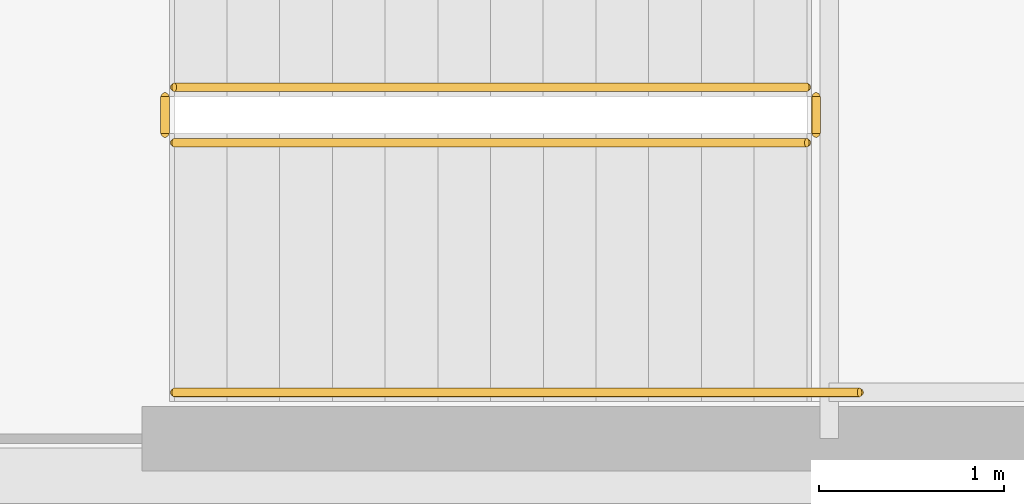
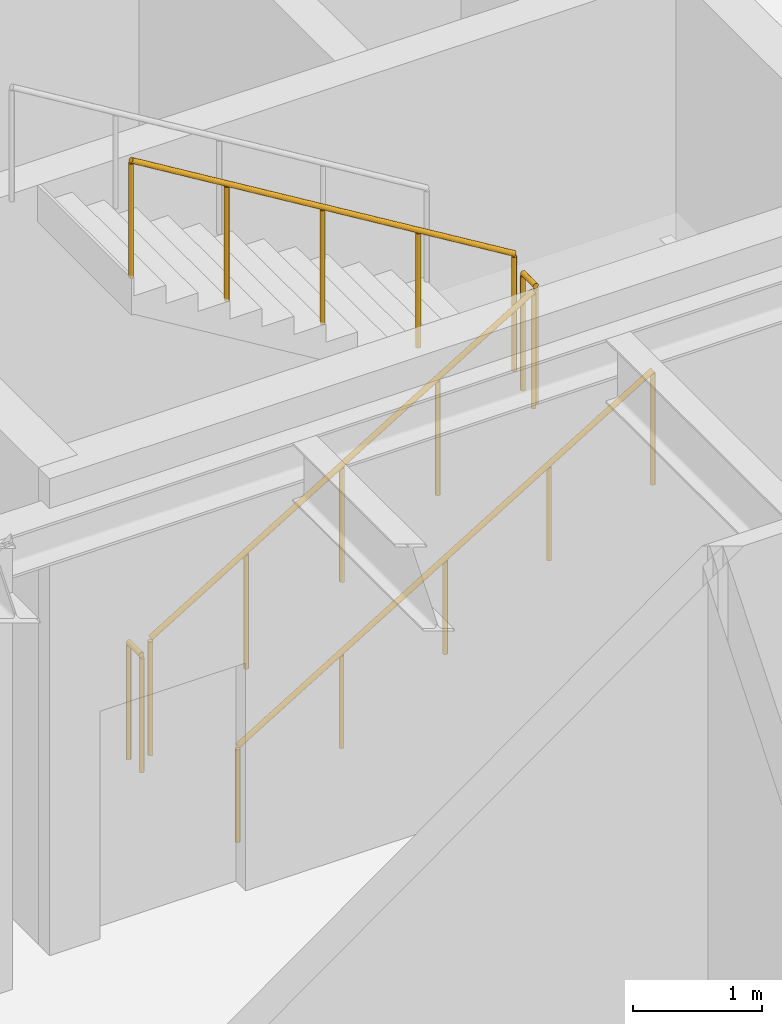
# One storey, part 63 of 64: 5 railings.
"""IFC4 building model written with IfcOpenShell, lengths in metres."""

from ifc_helpers import new_model, si_unit, direction, frame, origin, origin_2d, place, context, subcontext, project, spatial, circle, extrude, material, layer, layer_set, type_object, element, save


model = new_model("IFC4")

# Units and contexts
model_context = context("Model", 3, precision=1e-05, world=origin(), true_north=direction((0.0, 1.0)))
body_context = subcontext(model_context, "Body", "Model", "MODEL_VIEW")
ifc_project = project(units=[si_unit("LENGTHUNIT", "METRE"), si_unit("AREAUNIT", "SQUARE_METRE"), si_unit("VOLUMEUNIT", "CUBIC_METRE"), si_unit("PLANEANGLEUNIT", "RADIAN"), si_unit("MASSUNIT", "GRAM", prefix="KILO")], contexts=[model_context])

# Site, building, storey
site_placement = place(None, origin())
site = spatial("IfcSite", under=ifc_project, at=site_placement, CompositionType="ELEMENT")
building_placement = place(site_placement, origin())
building = spatial("IfcBuilding", under=site, at=building_placement, Name="Montealbar Specialist Clinic", CompositionType="ELEMENT")
storey_placement = place(building_placement, frame((0.0, 0.0, 5.10009765625)))
storey = spatial("IfcBuildingStorey", under=building, at=storey_placement, Name="L01", CompositionType="ELEMENT", Elevation=5.10009765625)

# Railings
ifc_material = material(Name="Steel S355", Category="steel")
ifc_layer_1 = layer(ifc_material, 0.050048828125, Name="Steel S355", Category="steel")
ifc_layer_set_1 = layer_set([ifc_layer_1], Name="Steel S355")
railing_type_1 = type_object("IfcRailingType", Name="RAIL-STAIR-BAL-1100", PredefinedType="BALUSTRADE", material=ifc_layer_set_1)
railing_1_placement = place(storey_placement, frame((147.75, 46.800048828125, 0.173095703125)))
element("IfcRailing", 1, at=railing_1_placement, inside=storey, type_object=railing_type_1, Name="L01 ST-06 stair guard 1", PredefinedType="BALUSTRADE", context=body_context, shape_type="SweptSolid", body=[
    extrude(circle(Radius=0.02392578125, at=origin_2d()), frame((0.0, 0.0, 1.076171875), z_axis=(0.854729506542, 0.0, 0.519073665916), x_axis=(0.0, 1.0, 0.0)), (0.0, 0.0, 1.0), 4.001220703125),
    extrude(circle(Radius=0.02099609375, at=origin_2d()), frame((0.0, 0.0, -0.02490234375)), (0.0, 0.0, 1.0), 1.076904296875),
    extrude(circle(Radius=0.02099609375, at=origin_2d()), frame((0.85498046875, 0.0, 0.494140625)), (0.0, 0.0, 1.0), 1.076904296875),
    extrude(circle(Radius=0.02099609375, at=origin_2d()), frame((1.7099609375, 0.0, 1.013427734375)), (0.0, 0.0, 1.0), 1.076904296875),
    extrude(circle(Radius=0.02099609375, at=origin_2d()), frame((2.56494140625, 0.0, 1.53271484375)), (0.0, 0.0, 1.0), 1.076904296875),
    extrude(circle(Radius=0.02099609375, at=origin_2d()), frame((3.419921875, 0.0, 2.052001953125)), (0.0, 0.0, 1.0), 1.076904296875),
])
railing_2_placement = place(storey_placement, frame((151.219970703125, 46.85009765625, 2.25)))
element("IfcRailing", 2, at=railing_2_placement, inside=storey, type_object=railing_type_1, Name="L01 ST-06 stair guard 2", PredefinedType="BALUSTRADE", context=body_context, shape_type="SweptSolid", body=[
    extrude(circle(Radius=0.02392578125, at=origin_2d()), frame((0.0, 0.0, 1.076171875), z_axis=(0.0, 1.0, 0.0), x_axis=(-1.0, 0.0, 0.0)), (0.0, 0.0, 1.0), 0.199951171875),
    extrude(circle(Radius=0.02099609375, at=origin_2d()), frame((0.0, 0.0, -0.02490234375)), (0.0, 0.0, 1.0), 1.076904296875),
    extrude(circle(Radius=0.02099609375, at=origin_2d()), frame((0.0, 0.199951171875, -0.02490234375)), (0.0, 0.0, 1.0), 1.076904296875),
])
railing_3_placement = place(storey_placement, frame((151.169921875, 47.10009765625, 2.423095703125)))
element("IfcRailing", 3, at=railing_3_placement, inside=storey, type_object=railing_type_1, Name="L01 ST-06 stair guard 3", PredefinedType="BALUSTRADE", context=body_context, shape_type="SweptSolid", body=[
    extrude(circle(Radius=0.02392578125, at=origin_2d()), frame((0.0, 0.0, 1.076171875), z_axis=(-0.854729506542, 0.0, 0.519073665916), x_axis=(0.0, -1.0, 0.0)), (0.0, 0.0, 1.0), 4.001220703125),
    extrude(circle(Radius=0.02099609375, at=origin_2d()), frame((0.0, 0.0, -0.02490234375)), (0.0, 0.0, 1.0), 1.076904296875),
    extrude(circle(Radius=0.02099609375, at=origin_2d()), frame((-0.85498046875, 0.0, 0.494140625)), (0.0, 0.0, 1.0), 1.076904296875),
    extrude(circle(Radius=0.02099609375, at=origin_2d()), frame((-1.7099609375, 0.0, 1.013427734375)), (0.0, 0.0, 1.0), 1.076904296875),
    extrude(circle(Radius=0.02099609375, at=origin_2d()), frame((-2.56494140625, 0.0, 1.53271484375)), (0.0, 0.0, 1.0), 1.076904296875),
    extrude(circle(Radius=0.02099609375, at=origin_2d()), frame((-3.419921875, 0.0, 2.052001953125)), (0.0, 0.0, 1.0), 1.076904296875),
])
railing_4_placement = place(storey_placement, frame((147.699951171875, 46.85009765625, 0.0)))
element("IfcRailing", 4, at=railing_4_placement, inside=storey, type_object=railing_type_1, Name="L01 ST-06 stair guard 4", PredefinedType="BALUSTRADE", context=body_context, shape_type="SweptSolid", body=[
    extrude(circle(Radius=0.02392578125, at=origin_2d()), frame((0.0, 0.0, 1.076171875), z_axis=(0.0, 1.0, 0.0), x_axis=(-1.0, 0.0, 0.0)), (0.0, 0.0, 1.0), 0.199951171875),
    extrude(circle(Radius=0.02099609375, at=origin_2d()), frame((0.0, 0.0, -0.02490234375)), (0.0, 0.0, 1.0), 1.076904296875),
    extrude(circle(Radius=0.02099609375, at=origin_2d()), frame((0.0, 0.199951171875, -0.02490234375)), (0.0, 0.0, 1.0), 1.076904296875),
])
ifc_layer_2 = layer(ifc_material, 0.044921875, Name="Steel S355", Category="steel")
ifc_layer_set_2 = layer_set([ifc_layer_2], Name="Steel S355")
railing_type_2 = type_object("IfcRailingType", Name="RAIL-STAIR-HR-900", PredefinedType="HANDRAIL", material=ifc_layer_set_2)
railing_5_placement = place(storey_placement, frame((147.75, 45.449951171875, 0.173095703125)))
element("IfcRailing", 5, at=railing_5_placement, inside=storey, type_object=railing_type_2, Name="L01 ST-06 stair handrail 1", PredefinedType="HANDRAIL", context=body_context, shape_type="SweptSolid", body=[
    extrude(circle(Radius=0.02392578125, at=origin_2d()), frame((0.0, 0.0, 0.8759765625), z_axis=(0.854737540875, 0.0, 0.519060435998), x_axis=(0.0, 1.0, 0.0)), (0.0, 0.0, 1.0), 4.334716796875),
    extrude(circle(Radius=0.02099609375, at=origin_2d()), frame((0.0, 0.0, -0.02490234375)), (0.0, 0.0, 1.0), 0.876708984375),
    extrude(circle(Radius=0.02099609375, at=origin_2d()), frame((0.92626953125, 0.0, 0.53759765625)), (0.0, 0.0, 1.0), 0.876708984375),
    extrude(circle(Radius=0.02099609375, at=origin_2d()), frame((1.8525390625, 0.0, 1.10009765625)), (0.0, 0.0, 1.0), 0.876708984375),
    extrude(circle(Radius=0.02099609375, at=origin_2d()), frame((2.77880859375, 0.0, 1.66259765625)), (0.0, 0.0, 1.0), 0.876708984375),
    extrude(circle(Radius=0.02099609375, at=origin_2d()), frame((3.705078125, 0.0, 2.052001953125)), (0.0, 0.0, 1.0), 1.0498046875),
])

save(model, "model.ifc")
